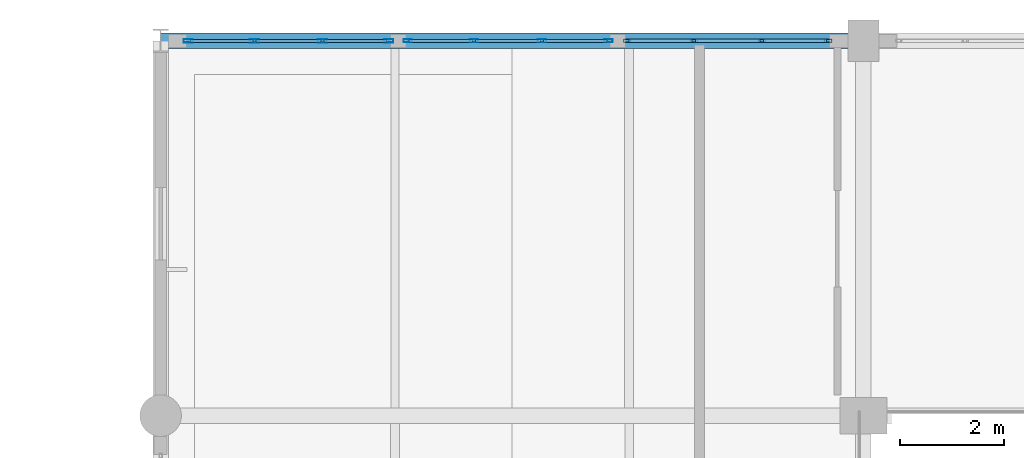
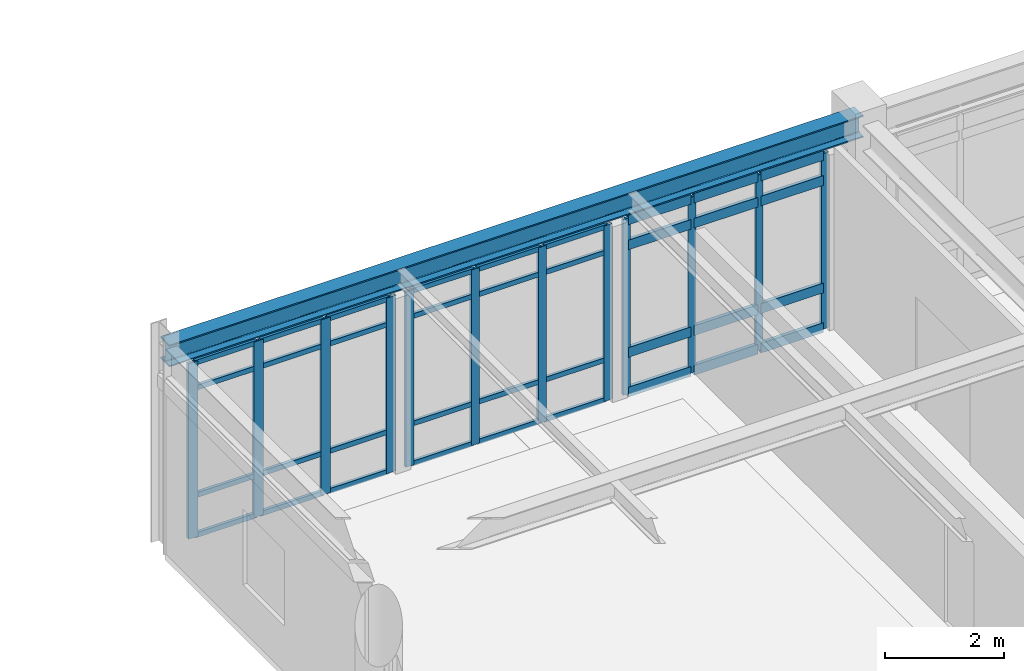
# One storey, part 15 of 61: 48 members, 1 beam, 3 elements without a shape of their own.
"""IFC4 building model written with IfcOpenShell, lengths in metres."""

from ifc_helpers import new_model, si_unit, direction, frame, origin, origin_2d, place, context, subcontext, project, spatial, hollow_rectangle, i_section, extrude, material, layer, layer_set, material_profile, profile_set, type_object, element, aggregate, save


model = new_model("IFC4")

# Units and contexts
model_context = context("Model", 3, precision=1e-05, world=origin(), true_north=direction((0.0, 1.0)))
body_context = subcontext(model_context, "Body", "Model", "MODEL_VIEW")
ifc_project = project(units=[si_unit("LENGTHUNIT", "METRE"), si_unit("AREAUNIT", "SQUARE_METRE"), si_unit("VOLUMEUNIT", "CUBIC_METRE"), si_unit("PLANEANGLEUNIT", "RADIAN"), si_unit("MASSUNIT", "GRAM", prefix="KILO")], contexts=[model_context])

# Site, building, storey
site_placement = place(None, origin())
site = spatial("IfcSite", under=ifc_project, at=site_placement, CompositionType="ELEMENT")
building_placement = place(site_placement, origin())
building = spatial("IfcBuilding", under=site, at=building_placement, Name="Fikremerkos Civic Library", CompositionType="ELEMENT")
storey_placement = place(building_placement, frame((0.0, 0.0, 14.39990234375)))
storey = spatial("IfcBuildingStorey", under=building, at=storey_placement, Name="L03", CompositionType="ELEMENT", Elevation=14.39990234375)

# Curtain wall, members
ifc_material_1 = material(Name="Anodized aluminium Frame", Category="aluminium")
ifc_layer_1 = layer(ifc_material_1, 0.159912109375, Name="Anodized aluminium Frame")
ifc_layer_set_1 = layer_set([ifc_layer_1], Name="Anodized aluminium Frame")
curtain_wall_type_1 = type_object("IfcCurtainWallType", Name="Unitised curtain wall CW-13 3700x3200", PredefinedType="USERDEFINED", material=ifc_layer_set_1)
curtain_wall_1_placement = place(storey_placement, origin())
curtain_wall_1 = element("IfcCurtainWall", 1, at=curtain_wall_1_placement, inside=storey, type_object=curtain_wall_type_1, Name="Unitised curtain wall CW-13 L03 #193", ObjectType="UNITISED CURTAIN WALL", PredefinedType="USERDEFINED")
ifc_material_profile_1 = material_profile(ifc_material_1, hollow_rectangle(XDim=0.06494140625, YDim=0.179931640625, WallThickness=0.00439453125, at=origin_2d()), Name="ALU 180x65x4.5")
ifc_profile_set_1 = profile_set([ifc_material_profile_1], Name="Anodized aluminium Frame")
member_type_1 = type_object("IfcMemberType", Name="Curtain mullion CWM-01 ALU 180x65x4.5", PredefinedType="MULLION", material=ifc_profile_set_1)
member_1_placement = place(storey_placement, frame((46.73046875, 48.0, 0.0), z_axis=(0.0, 0.0, 1.0), x_axis=(0.0, 1.0, 0.0)))
member_1 = element("IfcMember", 2, at=member_1_placement, type_object=member_type_1, Name="CW-13 mullion 1", PredefinedType="MULLION", context=body_context, shape_type="SweptSolid", body=[
    extrude(hollow_rectangle(XDim=0.06494140625, YDim=0.179931640625, WallThickness=0.00439453125, at=origin_2d()), origin(), (0.0, 0.0, 1.0), 3.610107421875),
])
member_2_placement = place(storey_placement, frame((48.00390625, 48.0, 0.0), z_axis=(0.0, 0.0, 1.0), x_axis=(0.0, 1.0, 0.0)))
member_2 = element("IfcMember", 3, at=member_2_placement, type_object=member_type_1, Name="CW-13 mullion 2", PredefinedType="MULLION", context=body_context, shape_type="SweptSolid", body=[
    extrude(hollow_rectangle(XDim=0.06494140625, YDim=0.179931640625, WallThickness=0.00439453125, at=origin_2d()), origin(), (0.0, 0.0, 1.0), 3.610107421875),
])
member_3_placement = place(storey_placement, frame((49.31005859375, 48.0, 0.0), z_axis=(0.0, 0.0, 1.0), x_axis=(0.0, 1.0, 0.0)))
member_3 = element("IfcMember", 4, at=member_3_placement, type_object=member_type_1, Name="CW-13 mullion 3", PredefinedType="MULLION", context=body_context, shape_type="SweptSolid", body=[
    extrude(hollow_rectangle(XDim=0.06494140625, YDim=0.179931640625, WallThickness=0.00439453125, at=origin_2d()), origin(), (0.0, 0.0, 1.0), 3.610107421875),
])
member_4_placement = place(storey_placement, frame((50.58349609375, 48.0, 0.0), z_axis=(0.0, 0.0, 1.0), x_axis=(0.0, 1.0, 0.0)))
member_4 = element("IfcMember", 5, at=member_4_placement, type_object=member_type_1, Name="CW-13 mullion 4", PredefinedType="MULLION", context=body_context, shape_type="SweptSolid", body=[
    extrude(hollow_rectangle(XDim=0.06494140625, YDim=0.179931640625, WallThickness=0.00439453125, at=origin_2d()), origin(), (0.0, 0.0, 1.0), 3.610107421875),
])

ifc_layer_2 = layer(ifc_material_1, 0.159912109375, Name="Anodized aluminium Frame")
ifc_layer_set_2 = layer_set([ifc_layer_2], Name="Anodized aluminium Frame")
curtain_wall_type_2 = type_object("IfcCurtainWallType", Name="Unitised curtain wall CW-14 4100x3200", PredefinedType="USERDEFINED", material=ifc_layer_set_2)
curtain_wall_2_placement = place(storey_placement, origin())
curtain_wall_2 = element("IfcCurtainWall", 6, at=curtain_wall_2_placement, inside=storey, type_object=curtain_wall_type_2, Name="Unitised curtain wall CW-14 L03 #194", ObjectType="UNITISED CURTAIN WALL", PredefinedType="USERDEFINED")
ifc_material_profile_2 = material_profile(ifc_material_1, hollow_rectangle(XDim=0.06005859375, YDim=0.159912109375, WallThickness=0.00390625, at=origin_2d()), Name="ALU 160x60x4")
ifc_profile_set_2 = profile_set([ifc_material_profile_2], Name="Anodized aluminium Frame")
member_type_2 = type_object("IfcMemberType", Name="Curtain mullion CWM-02 ALU 160x60x4", PredefinedType="MULLION", material=ifc_profile_set_2)
member_5_placement = place(storey_placement, frame((50.946044921875, 48.0, 0.0), z_axis=(0.0, 0.0, 1.0), x_axis=(0.0, 1.0, 0.0)))
member_5 = element("IfcMember", 7, at=member_5_placement, type_object=member_type_2, Name="CW-14 mullion 1", PredefinedType="MULLION", context=body_context, shape_type="SweptSolid", body=[
    extrude(hollow_rectangle(XDim=0.06005859375, YDim=0.159912109375, WallThickness=0.00390625, at=origin_2d()), origin(), (0.0, 0.0, 1.0), 3.610107421875),
])
member_6_placement = place(storey_placement, frame((52.221923828125, 48.0, 0.0), z_axis=(0.0, 0.0, 1.0), x_axis=(0.0, 1.0, 0.0)))
member_6 = element("IfcMember", 8, at=member_6_placement, type_object=member_type_2, Name="CW-14 mullion 2", PredefinedType="MULLION", context=body_context, shape_type="SweptSolid", body=[
    extrude(hollow_rectangle(XDim=0.06005859375, YDim=0.159912109375, WallThickness=0.00390625, at=origin_2d()), origin(), (0.0, 0.0, 1.0), 3.610107421875),
])
member_7_placement = place(storey_placement, frame((53.528076171875, 48.0, 0.0), z_axis=(0.0, 0.0, 1.0), x_axis=(0.0, 1.0, 0.0)))
member_7 = element("IfcMember", 9, at=member_7_placement, type_object=member_type_2, Name="CW-14 mullion 3", PredefinedType="MULLION", context=body_context, shape_type="SweptSolid", body=[
    extrude(hollow_rectangle(XDim=0.06005859375, YDim=0.159912109375, WallThickness=0.00390625, at=origin_2d()), origin(), (0.0, 0.0, 1.0), 3.610107421875),
])
member_8_placement = place(storey_placement, frame((54.803955078125, 48.0, 0.0), z_axis=(0.0, 0.0, 1.0), x_axis=(0.0, 1.0, 0.0)))
member_8 = element("IfcMember", 10, at=member_8_placement, type_object=member_type_2, Name="CW-14 mullion 4", PredefinedType="MULLION", context=body_context, shape_type="SweptSolid", body=[
    extrude(hollow_rectangle(XDim=0.06005859375, YDim=0.159912109375, WallThickness=0.00390625, at=origin_2d()), origin(), (0.0, 0.0, 1.0), 3.610107421875),
])

ifc_layer_3 = layer(ifc_material_1, 0.159912109375, Name="Anodized aluminium Frame")
ifc_layer_set_3 = layer_set([ifc_layer_3], Name="Anodized aluminium Frame")
curtain_wall_type_3 = type_object("IfcCurtainWallType", Name="Unitised curtain wall CW-15 2900x3600", PredefinedType="USERDEFINED", material=ifc_layer_set_3)
curtain_wall_3_placement = place(storey_placement, origin())
curtain_wall_3 = element("IfcCurtainWall", 11, at=curtain_wall_3_placement, inside=storey, type_object=curtain_wall_type_3, Name="Unitised curtain wall CW-15 L03 #195", ObjectType="UNITISED CURTAIN WALL", PredefinedType="USERDEFINED")
ifc_material_profile_3 = material_profile(ifc_material_1, hollow_rectangle(XDim=0.06005859375, YDim=0.139892578125, WallThickness=0.00390625, at=origin_2d()), Name="ALU 140x60x4")
ifc_profile_set_3 = profile_set([ifc_material_profile_3], Name="Anodized aluminium Frame")
member_type_3 = type_object("IfcMemberType", Name="Curtain mullion CWM-03 ALU 140x60x4", PredefinedType="MULLION", material=ifc_profile_set_3)
member_9_placement = place(storey_placement, frame((55.1640625, 48.0, 0.0), z_axis=(0.0, 0.0, 1.0), x_axis=(0.0, 1.0, 0.0)))
member_9 = element("IfcMember", 12, at=member_9_placement, type_object=member_type_3, Name="CW-15 mullion 1", PredefinedType="MULLION", context=body_context, shape_type="SweptSolid", body=[
    extrude(hollow_rectangle(XDim=0.06005859375, YDim=0.139892578125, WallThickness=0.00390625, at=origin_2d()), origin(), (0.0, 0.0, 1.0), 3.610107421875),
])
member_10_placement = place(storey_placement, frame((56.43994140625, 48.0, 0.0), z_axis=(0.0, 0.0, 1.0), x_axis=(0.0, 1.0, 0.0)))
member_10 = element("IfcMember", 13, at=member_10_placement, type_object=member_type_3, Name="CW-15 mullion 2", PredefinedType="MULLION", context=body_context, shape_type="SweptSolid", body=[
    extrude(hollow_rectangle(XDim=0.06005859375, YDim=0.139892578125, WallThickness=0.00390625, at=origin_2d()), origin(), (0.0, 0.0, 1.0), 3.610107421875),
])
member_11_placement = place(storey_placement, frame((57.74609375, 48.0, 0.0), z_axis=(0.0, 0.0, 1.0), x_axis=(0.0, 1.0, 0.0)))
member_11 = element("IfcMember", 14, at=member_11_placement, type_object=member_type_3, Name="CW-15 mullion 3", PredefinedType="MULLION", context=body_context, shape_type="SweptSolid", body=[
    extrude(hollow_rectangle(XDim=0.06005859375, YDim=0.139892578125, WallThickness=0.00390625, at=origin_2d()), origin(), (0.0, 0.0, 1.0), 3.610107421875),
])
member_12_placement = place(storey_placement, frame((59.02197265625, 48.0, 0.0), z_axis=(0.0, 0.0, 1.0), x_axis=(0.0, 1.0, 0.0)))
member_12 = element("IfcMember", 15, at=member_12_placement, type_object=member_type_3, Name="CW-15 mullion 4", PredefinedType="MULLION", context=body_context, shape_type="SweptSolid", body=[
    extrude(hollow_rectangle(XDim=0.06005859375, YDim=0.139892578125, WallThickness=0.00390625, at=origin_2d()), origin(), (0.0, 0.0, 1.0), 3.610107421875),
])

# Member
ifc_material_profile_4 = material_profile(ifc_material_1, hollow_rectangle(XDim=0.06005859375, YDim=0.10009765625, WallThickness=0.00390625, at=origin_2d()), Name="ALU 100x60x4")
ifc_profile_set_4 = profile_set([ifc_material_profile_4], Name="Anodized aluminium Frame")
member_type_4 = type_object("IfcMemberType", Name="Curtain transom CWT-03 ALU 100x60x4", PredefinedType="USERDEFINED", material=ifc_profile_set_4)
member_13_placement = place(storey_placement, frame((46.762939453125, 48.0, 0.030029296875), z_axis=(1.0, 0.0, 0.0), x_axis=(0.0, 1.0, 0.0)))
member_13 = element("IfcMember", 16, at=member_13_placement, type_object=member_type_4, Name="CW-13 transom 1.1", ObjectType="TRANSOM", PredefinedType="USERDEFINED", context=body_context, shape_type="SweptSolid", body=[
    extrude(hollow_rectangle(XDim=0.06005859375, YDim=0.10009765625, WallThickness=0.00390625, at=origin_2d()), origin(), (0.0, 0.0, 1.0), 1.20849609375),
])

member_14_placement = place(storey_placement, frame((46.762939453125, 48.0, 0.85009765625), z_axis=(1.0, 0.0, 0.0), x_axis=(0.0, 1.0, 0.0)))
member_14 = element("IfcMember", 17, at=member_14_placement, type_object=member_type_4, Name="CW-13 transom 1.2", ObjectType="TRANSOM", PredefinedType="USERDEFINED", context=body_context, shape_type="SweptSolid", body=[
    extrude(hollow_rectangle(XDim=0.06005859375, YDim=0.10009765625, WallThickness=0.00390625, at=origin_2d()), origin(), (0.0, 0.0, 1.0), 1.20849609375),
])

member_15_placement = place(storey_placement, frame((46.762939453125, 48.0, 3.06005859375), z_axis=(1.0, 0.0, 0.0), x_axis=(0.0, 1.0, 0.0)))
member_15 = element("IfcMember", 18, at=member_15_placement, type_object=member_type_4, Name="CW-13 transom 1.3", ObjectType="TRANSOM", PredefinedType="USERDEFINED", context=body_context, shape_type="SweptSolid", body=[
    extrude(hollow_rectangle(XDim=0.06005859375, YDim=0.10009765625, WallThickness=0.00390625, at=origin_2d()), origin(), (0.0, 0.0, 1.0), 1.20849609375),
])

member_16_placement = place(storey_placement, frame((46.762939453125, 48.0, 3.580078125), z_axis=(1.0, 0.0, 0.0), x_axis=(0.0, 1.0, 0.0)))
member_16 = element("IfcMember", 19, at=member_16_placement, type_object=member_type_4, Name="CW-13 transom 1.4", ObjectType="TRANSOM", PredefinedType="USERDEFINED", context=body_context, shape_type="SweptSolid", body=[
    extrude(hollow_rectangle(XDim=0.06005859375, YDim=0.10009765625, WallThickness=0.00390625, at=origin_2d()), origin(), (0.0, 0.0, 1.0), 1.20849609375),
])

member_17_placement = place(storey_placement, frame((48.03662109375, 48.0, 0.030029296875), z_axis=(1.0, 0.0, 0.0), x_axis=(0.0, 1.0, 0.0)))
member_17 = element("IfcMember", 20, at=member_17_placement, type_object=member_type_4, Name="CW-13 transom 2.1", ObjectType="TRANSOM", PredefinedType="USERDEFINED", context=body_context, shape_type="SweptSolid", body=[
    extrude(hollow_rectangle(XDim=0.06005859375, YDim=0.10009765625, WallThickness=0.00390625, at=origin_2d()), origin(), (0.0, 0.0, 1.0), 1.240966796875),
])

member_18_placement = place(storey_placement, frame((48.03662109375, 48.0, 0.85009765625), z_axis=(1.0, 0.0, 0.0), x_axis=(0.0, 1.0, 0.0)))
member_18 = element("IfcMember", 21, at=member_18_placement, type_object=member_type_4, Name="CW-13 transom 2.2", ObjectType="TRANSOM", PredefinedType="USERDEFINED", context=body_context, shape_type="SweptSolid", body=[
    extrude(hollow_rectangle(XDim=0.06005859375, YDim=0.10009765625, WallThickness=0.00390625, at=origin_2d()), origin(), (0.0, 0.0, 1.0), 1.240966796875),
])

member_19_placement = place(storey_placement, frame((48.03662109375, 48.0, 3.06005859375), z_axis=(1.0, 0.0, 0.0), x_axis=(0.0, 1.0, 0.0)))
member_19 = element("IfcMember", 22, at=member_19_placement, type_object=member_type_4, Name="CW-13 transom 2.3", ObjectType="TRANSOM", PredefinedType="USERDEFINED", context=body_context, shape_type="SweptSolid", body=[
    extrude(hollow_rectangle(XDim=0.06005859375, YDim=0.10009765625, WallThickness=0.00390625, at=origin_2d()), origin(), (0.0, 0.0, 1.0), 1.240966796875),
])

member_20_placement = place(storey_placement, frame((48.03662109375, 48.0, 3.580078125), z_axis=(1.0, 0.0, 0.0), x_axis=(0.0, 1.0, 0.0)))
member_20 = element("IfcMember", 23, at=member_20_placement, type_object=member_type_4, Name="CW-13 transom 2.4", ObjectType="TRANSOM", PredefinedType="USERDEFINED", context=body_context, shape_type="SweptSolid", body=[
    extrude(hollow_rectangle(XDim=0.06005859375, YDim=0.10009765625, WallThickness=0.00390625, at=origin_2d()), origin(), (0.0, 0.0, 1.0), 1.240966796875),
])

member_21_placement = place(storey_placement, frame((49.342529296875, 48.0, 0.030029296875), z_axis=(1.0, 0.0, 0.0), x_axis=(0.0, 1.0, 0.0)))
member_21 = element("IfcMember", 24, at=member_21_placement, type_object=member_type_4, Name="CW-13 transom 3.1", ObjectType="TRANSOM", PredefinedType="USERDEFINED", context=body_context, shape_type="SweptSolid", body=[
    extrude(hollow_rectangle(XDim=0.06005859375, YDim=0.10009765625, WallThickness=0.00390625, at=origin_2d()), origin(), (0.0, 0.0, 1.0), 1.20849609375),
])

member_22_placement = place(storey_placement, frame((49.342529296875, 48.0, 0.85009765625), z_axis=(1.0, 0.0, 0.0), x_axis=(0.0, 1.0, 0.0)))
member_22 = element("IfcMember", 25, at=member_22_placement, type_object=member_type_4, Name="CW-13 transom 3.2", ObjectType="TRANSOM", PredefinedType="USERDEFINED", context=body_context, shape_type="SweptSolid", body=[
    extrude(hollow_rectangle(XDim=0.06005859375, YDim=0.10009765625, WallThickness=0.00390625, at=origin_2d()), origin(), (0.0, 0.0, 1.0), 1.20849609375),
])

member_23_placement = place(storey_placement, frame((49.342529296875, 48.0, 3.06005859375), z_axis=(1.0, 0.0, 0.0), x_axis=(0.0, 1.0, 0.0)))
member_23 = element("IfcMember", 26, at=member_23_placement, type_object=member_type_4, Name="CW-13 transom 3.3", ObjectType="TRANSOM", PredefinedType="USERDEFINED", context=body_context, shape_type="SweptSolid", body=[
    extrude(hollow_rectangle(XDim=0.06005859375, YDim=0.10009765625, WallThickness=0.00390625, at=origin_2d()), origin(), (0.0, 0.0, 1.0), 1.20849609375),
])

member_24_placement = place(storey_placement, frame((49.342529296875, 48.0, 3.580078125), z_axis=(1.0, 0.0, 0.0), x_axis=(0.0, 1.0, 0.0)))
member_24 = element("IfcMember", 27, at=member_24_placement, type_object=member_type_4, Name="CW-13 transom 3.4", ObjectType="TRANSOM", PredefinedType="USERDEFINED", context=body_context, shape_type="SweptSolid", body=[
    extrude(hollow_rectangle(XDim=0.06005859375, YDim=0.10009765625, WallThickness=0.00390625, at=origin_2d()), origin(), (0.0, 0.0, 1.0), 1.20849609375),
])

aggregate(curtain_wall_1, [member_1, member_2, member_3, member_4, member_13, member_14, member_15, member_16, member_17, member_18, member_19, member_20, member_21, member_22, member_23, member_24])

member_25_placement = place(storey_placement, frame((50.97607421875, 48.0, 0.030029296875), z_axis=(1.0, 0.0, 0.0), x_axis=(0.0, 1.0, 0.0)))
member_25 = element("IfcMember", 28, at=member_25_placement, type_object=member_type_4, Name="CW-14 transom 1.1", ObjectType="TRANSOM", PredefinedType="USERDEFINED", context=body_context, shape_type="SweptSolid", body=[
    extrude(hollow_rectangle(XDim=0.06005859375, YDim=0.10009765625, WallThickness=0.00390625, at=origin_2d()), origin(), (0.0, 0.0, 1.0), 1.2158203125),
])

member_26_placement = place(storey_placement, frame((50.97607421875, 48.0, 0.85009765625), z_axis=(1.0, 0.0, 0.0), x_axis=(0.0, 1.0, 0.0)))
member_26 = element("IfcMember", 29, at=member_26_placement, type_object=member_type_4, Name="CW-14 transom 1.2", ObjectType="TRANSOM", PredefinedType="USERDEFINED", context=body_context, shape_type="SweptSolid", body=[
    extrude(hollow_rectangle(XDim=0.06005859375, YDim=0.10009765625, WallThickness=0.00390625, at=origin_2d()), origin(), (0.0, 0.0, 1.0), 1.2158203125),
])

member_27_placement = place(storey_placement, frame((50.97607421875, 48.0, 3.06005859375), z_axis=(1.0, 0.0, 0.0), x_axis=(0.0, 1.0, 0.0)))
member_27 = element("IfcMember", 30, at=member_27_placement, type_object=member_type_4, Name="CW-14 transom 1.3", ObjectType="TRANSOM", PredefinedType="USERDEFINED", context=body_context, shape_type="SweptSolid", body=[
    extrude(hollow_rectangle(XDim=0.06005859375, YDim=0.10009765625, WallThickness=0.00390625, at=origin_2d()), origin(), (0.0, 0.0, 1.0), 1.2158203125),
])

member_28_placement = place(storey_placement, frame((50.97607421875, 48.0, 3.580078125), z_axis=(1.0, 0.0, 0.0), x_axis=(0.0, 1.0, 0.0)))
member_28 = element("IfcMember", 31, at=member_28_placement, type_object=member_type_4, Name="CW-14 transom 1.4", ObjectType="TRANSOM", PredefinedType="USERDEFINED", context=body_context, shape_type="SweptSolid", body=[
    extrude(hollow_rectangle(XDim=0.06005859375, YDim=0.10009765625, WallThickness=0.00390625, at=origin_2d()), origin(), (0.0, 0.0, 1.0), 1.2158203125),
])

member_29_placement = place(storey_placement, frame((52.251953125, 48.0, 0.030029296875), z_axis=(1.0, 0.0, 0.0), x_axis=(0.0, 1.0, 0.0)))
member_29 = element("IfcMember", 32, at=member_29_placement, type_object=member_type_4, Name="CW-14 transom 2.1", ObjectType="TRANSOM", PredefinedType="USERDEFINED", context=body_context, shape_type="SweptSolid", body=[
    extrude(hollow_rectangle(XDim=0.06005859375, YDim=0.10009765625, WallThickness=0.00390625, at=origin_2d()), origin(), (0.0, 0.0, 1.0), 1.24609375),
])

member_30_placement = place(storey_placement, frame((52.251953125, 48.0, 0.85009765625), z_axis=(1.0, 0.0, 0.0), x_axis=(0.0, 1.0, 0.0)))
member_30 = element("IfcMember", 33, at=member_30_placement, type_object=member_type_4, Name="CW-14 transom 2.2", ObjectType="TRANSOM", PredefinedType="USERDEFINED", context=body_context, shape_type="SweptSolid", body=[
    extrude(hollow_rectangle(XDim=0.06005859375, YDim=0.10009765625, WallThickness=0.00390625, at=origin_2d()), origin(), (0.0, 0.0, 1.0), 1.24609375),
])

member_31_placement = place(storey_placement, frame((52.251953125, 48.0, 3.06005859375), z_axis=(1.0, 0.0, 0.0), x_axis=(0.0, 1.0, 0.0)))
member_31 = element("IfcMember", 34, at=member_31_placement, type_object=member_type_4, Name="CW-14 transom 2.3", ObjectType="TRANSOM", PredefinedType="USERDEFINED", context=body_context, shape_type="SweptSolid", body=[
    extrude(hollow_rectangle(XDim=0.06005859375, YDim=0.10009765625, WallThickness=0.00390625, at=origin_2d()), origin(), (0.0, 0.0, 1.0), 1.24609375),
])

member_32_placement = place(storey_placement, frame((52.251953125, 48.0, 3.580078125), z_axis=(1.0, 0.0, 0.0), x_axis=(0.0, 1.0, 0.0)))
member_32 = element("IfcMember", 35, at=member_32_placement, type_object=member_type_4, Name="CW-14 transom 2.4", ObjectType="TRANSOM", PredefinedType="USERDEFINED", context=body_context, shape_type="SweptSolid", body=[
    extrude(hollow_rectangle(XDim=0.06005859375, YDim=0.10009765625, WallThickness=0.00390625, at=origin_2d()), origin(), (0.0, 0.0, 1.0), 1.24609375),
])

member_33_placement = place(storey_placement, frame((53.55810546875, 48.0, 0.030029296875), z_axis=(1.0, 0.0, 0.0), x_axis=(0.0, 1.0, 0.0)))
member_33 = element("IfcMember", 36, at=member_33_placement, type_object=member_type_4, Name="CW-14 transom 3.1", ObjectType="TRANSOM", PredefinedType="USERDEFINED", context=body_context, shape_type="SweptSolid", body=[
    extrude(hollow_rectangle(XDim=0.06005859375, YDim=0.10009765625, WallThickness=0.00390625, at=origin_2d()), origin(), (0.0, 0.0, 1.0), 1.2158203125),
])

member_34_placement = place(storey_placement, frame((53.55810546875, 48.0, 0.85009765625), z_axis=(1.0, 0.0, 0.0), x_axis=(0.0, 1.0, 0.0)))
member_34 = element("IfcMember", 37, at=member_34_placement, type_object=member_type_4, Name="CW-14 transom 3.2", ObjectType="TRANSOM", PredefinedType="USERDEFINED", context=body_context, shape_type="SweptSolid", body=[
    extrude(hollow_rectangle(XDim=0.06005859375, YDim=0.10009765625, WallThickness=0.00390625, at=origin_2d()), origin(), (0.0, 0.0, 1.0), 1.2158203125),
])

member_35_placement = place(storey_placement, frame((53.55810546875, 48.0, 3.06005859375), z_axis=(1.0, 0.0, 0.0), x_axis=(0.0, 1.0, 0.0)))
member_35 = element("IfcMember", 38, at=member_35_placement, type_object=member_type_4, Name="CW-14 transom 3.3", ObjectType="TRANSOM", PredefinedType="USERDEFINED", context=body_context, shape_type="SweptSolid", body=[
    extrude(hollow_rectangle(XDim=0.06005859375, YDim=0.10009765625, WallThickness=0.00390625, at=origin_2d()), origin(), (0.0, 0.0, 1.0), 1.2158203125),
])

member_36_placement = place(storey_placement, frame((53.55810546875, 48.0, 3.580078125), z_axis=(1.0, 0.0, 0.0), x_axis=(0.0, 1.0, 0.0)))
member_36 = element("IfcMember", 39, at=member_36_placement, type_object=member_type_4, Name="CW-14 transom 3.4", ObjectType="TRANSOM", PredefinedType="USERDEFINED", context=body_context, shape_type="SweptSolid", body=[
    extrude(hollow_rectangle(XDim=0.06005859375, YDim=0.10009765625, WallThickness=0.00390625, at=origin_2d()), origin(), (0.0, 0.0, 1.0), 1.2158203125),
])

aggregate(curtain_wall_2, [member_5, member_6, member_7, member_8, member_25, member_26, member_27, member_28, member_29, member_30, member_31, member_32, member_33, member_34, member_35, member_36])

ifc_material_profile_5 = material_profile(ifc_material_1, hollow_rectangle(XDim=0.070068359375, YDim=0.199951171875, WallThickness=0.0048828125, at=origin_2d()), Name="ALU 200x70x5")
ifc_profile_set_5 = profile_set([ifc_material_profile_5], Name="Anodized aluminium Frame")
member_type_5 = type_object("IfcMemberType", Name="Curtain transom CWT-04 ALU 200x70x5", PredefinedType="USERDEFINED", material=ifc_profile_set_5)
member_37_placement = place(storey_placement, frame((55.194091796875, 48.0, 0.03515625), z_axis=(1.0, 0.0, 0.0), x_axis=(0.0, 1.0, 0.0)))
member_37 = element("IfcMember", 40, at=member_37_placement, type_object=member_type_5, Name="CW-15 transom 1.1", ObjectType="TRANSOM", PredefinedType="USERDEFINED", context=body_context, shape_type="SweptSolid", body=[
    extrude(hollow_rectangle(XDim=0.070068359375, YDim=0.199951171875, WallThickness=0.0048828125, at=origin_2d()), origin(), (0.0, 0.0, 1.0), 1.2158203125),
])

member_38_placement = place(storey_placement, frame((55.194091796875, 48.0, 0.85009765625), z_axis=(1.0, 0.0, 0.0), x_axis=(0.0, 1.0, 0.0)))
member_38 = element("IfcMember", 41, at=member_38_placement, type_object=member_type_5, Name="CW-15 transom 1.2", ObjectType="TRANSOM", PredefinedType="USERDEFINED", context=body_context, shape_type="SweptSolid", body=[
    extrude(hollow_rectangle(XDim=0.070068359375, YDim=0.199951171875, WallThickness=0.0048828125, at=origin_2d()), origin(), (0.0, 0.0, 1.0), 1.2158203125),
])

member_39_placement = place(storey_placement, frame((55.194091796875, 48.0, 3.06005859375), z_axis=(1.0, 0.0, 0.0), x_axis=(0.0, 1.0, 0.0)))
member_39 = element("IfcMember", 42, at=member_39_placement, type_object=member_type_5, Name="CW-15 transom 1.3", ObjectType="TRANSOM", PredefinedType="USERDEFINED", context=body_context, shape_type="SweptSolid", body=[
    extrude(hollow_rectangle(XDim=0.070068359375, YDim=0.199951171875, WallThickness=0.0048828125, at=origin_2d()), origin(), (0.0, 0.0, 1.0), 1.2158203125),
])

member_40_placement = place(storey_placement, frame((55.194091796875, 48.0, 3.5751953125), z_axis=(1.0, 0.0, 0.0), x_axis=(0.0, 1.0, 0.0)))
member_40 = element("IfcMember", 43, at=member_40_placement, type_object=member_type_5, Name="CW-15 transom 1.4", ObjectType="TRANSOM", PredefinedType="USERDEFINED", context=body_context, shape_type="SweptSolid", body=[
    extrude(hollow_rectangle(XDim=0.070068359375, YDim=0.199951171875, WallThickness=0.0048828125, at=origin_2d()), origin(), (0.0, 0.0, 1.0), 1.2158203125),
])

member_41_placement = place(storey_placement, frame((56.469970703125, 48.0, 0.03515625), z_axis=(1.0, 0.0, 0.0), x_axis=(0.0, 1.0, 0.0)))
member_41 = element("IfcMember", 44, at=member_41_placement, type_object=member_type_5, Name="CW-15 transom 2.1", ObjectType="TRANSOM", PredefinedType="USERDEFINED", context=body_context, shape_type="SweptSolid", body=[
    extrude(hollow_rectangle(XDim=0.070068359375, YDim=0.199951171875, WallThickness=0.0048828125, at=origin_2d()), origin(), (0.0, 0.0, 1.0), 1.24609375),
])

member_42_placement = place(storey_placement, frame((56.469970703125, 48.0, 0.85009765625), z_axis=(1.0, 0.0, 0.0), x_axis=(0.0, 1.0, 0.0)))
member_42 = element("IfcMember", 45, at=member_42_placement, type_object=member_type_5, Name="CW-15 transom 2.2", ObjectType="TRANSOM", PredefinedType="USERDEFINED", context=body_context, shape_type="SweptSolid", body=[
    extrude(hollow_rectangle(XDim=0.070068359375, YDim=0.199951171875, WallThickness=0.0048828125, at=origin_2d()), origin(), (0.0, 0.0, 1.0), 1.24609375),
])

member_43_placement = place(storey_placement, frame((56.469970703125, 48.0, 3.06005859375), z_axis=(1.0, 0.0, 0.0), x_axis=(0.0, 1.0, 0.0)))
member_43 = element("IfcMember", 46, at=member_43_placement, type_object=member_type_5, Name="CW-15 transom 2.3", ObjectType="TRANSOM", PredefinedType="USERDEFINED", context=body_context, shape_type="SweptSolid", body=[
    extrude(hollow_rectangle(XDim=0.070068359375, YDim=0.199951171875, WallThickness=0.0048828125, at=origin_2d()), origin(), (0.0, 0.0, 1.0), 1.24609375),
])

member_44_placement = place(storey_placement, frame((56.469970703125, 48.0, 3.5751953125), z_axis=(1.0, 0.0, 0.0), x_axis=(0.0, 1.0, 0.0)))
member_44 = element("IfcMember", 47, at=member_44_placement, type_object=member_type_5, Name="CW-15 transom 2.4", ObjectType="TRANSOM", PredefinedType="USERDEFINED", context=body_context, shape_type="SweptSolid", body=[
    extrude(hollow_rectangle(XDim=0.070068359375, YDim=0.199951171875, WallThickness=0.0048828125, at=origin_2d()), origin(), (0.0, 0.0, 1.0), 1.24609375),
])

member_45_placement = place(storey_placement, frame((57.77587890625, 48.0, 0.03515625), z_axis=(1.0, 0.0, 0.0), x_axis=(0.0, 1.0, 0.0)))
member_45 = element("IfcMember", 48, at=member_45_placement, type_object=member_type_5, Name="CW-15 transom 3.1", ObjectType="TRANSOM", PredefinedType="USERDEFINED", context=body_context, shape_type="SweptSolid", body=[
    extrude(hollow_rectangle(XDim=0.070068359375, YDim=0.199951171875, WallThickness=0.0048828125, at=origin_2d()), origin(), (0.0, 0.0, 1.0), 1.216064453125),
])

member_46_placement = place(storey_placement, frame((57.77587890625, 48.0, 0.85009765625), z_axis=(1.0, 0.0, 0.0), x_axis=(0.0, 1.0, 0.0)))
member_46 = element("IfcMember", 49, at=member_46_placement, type_object=member_type_5, Name="CW-15 transom 3.2", ObjectType="TRANSOM", PredefinedType="USERDEFINED", context=body_context, shape_type="SweptSolid", body=[
    extrude(hollow_rectangle(XDim=0.070068359375, YDim=0.199951171875, WallThickness=0.0048828125, at=origin_2d()), origin(), (0.0, 0.0, 1.0), 1.216064453125),
])

member_47_placement = place(storey_placement, frame((57.77587890625, 48.0, 3.06005859375), z_axis=(1.0, 0.0, 0.0), x_axis=(0.0, 1.0, 0.0)))
member_47 = element("IfcMember", 50, at=member_47_placement, type_object=member_type_5, Name="CW-15 transom 3.3", ObjectType="TRANSOM", PredefinedType="USERDEFINED", context=body_context, shape_type="SweptSolid", body=[
    extrude(hollow_rectangle(XDim=0.070068359375, YDim=0.199951171875, WallThickness=0.0048828125, at=origin_2d()), origin(), (0.0, 0.0, 1.0), 1.216064453125),
])

member_48_placement = place(storey_placement, frame((57.77587890625, 48.0, 3.5751953125), z_axis=(1.0, 0.0, 0.0), x_axis=(0.0, 1.0, 0.0)))
member_48 = element("IfcMember", 51, at=member_48_placement, type_object=member_type_5, Name="CW-15 transom 3.4", ObjectType="TRANSOM", PredefinedType="USERDEFINED", context=body_context, shape_type="SweptSolid", body=[
    extrude(hollow_rectangle(XDim=0.070068359375, YDim=0.199951171875, WallThickness=0.0048828125, at=origin_2d()), origin(), (0.0, 0.0, 1.0), 1.216064453125),
])

aggregate(curtain_wall_3, [member_9, member_10, member_11, member_12, member_37, member_38, member_39, member_40, member_41, member_42, member_43, member_44, member_45, member_46, member_47, member_48])

# Beam
ifc_material_2 = material(Name="Steel S355", Category="steel")
ifc_material_profile_6 = material_profile(ifc_material_2, i_section(OverallWidth=0.300048828125, OverallDepth=0.449951171875, WebThickness=0.013916015625, FlangeThickness=0.02587890625, FilletRadius=0.027099609375, at=origin_2d()), Name="HEB 450")
ifc_profile_set_6 = profile_set([ifc_material_profile_6], Name="Steel S355")
beam_type = type_object("IfcBeamType", Name="Primary girder BM-23 HEB 450", PredefinedType="BEAM", material=ifc_profile_set_6)
beam_placement = place(storey_placement, frame((46.199951171875, 48.0, 3.9951171875), z_axis=(1.0, 0.0, 0.0), x_axis=(0.0, 1.0, 0.0)))
element("IfcBeam", 52, at=beam_placement, inside=storey, type_object=beam_type, Name="Primary girder BM-23 L03 grid J", PredefinedType="BEAM", context=body_context, shape_type="SweptSolid", body=[
    extrude(i_section(OverallWidth=0.300048828125, OverallDepth=0.449951171875, WebThickness=0.013916015625, FlangeThickness=0.02587890625, FilletRadius=0.027099609375, at=origin_2d()), origin(), (0.0, 0.0, 1.0), 13.5),
])

save(model, "model.ifc")
